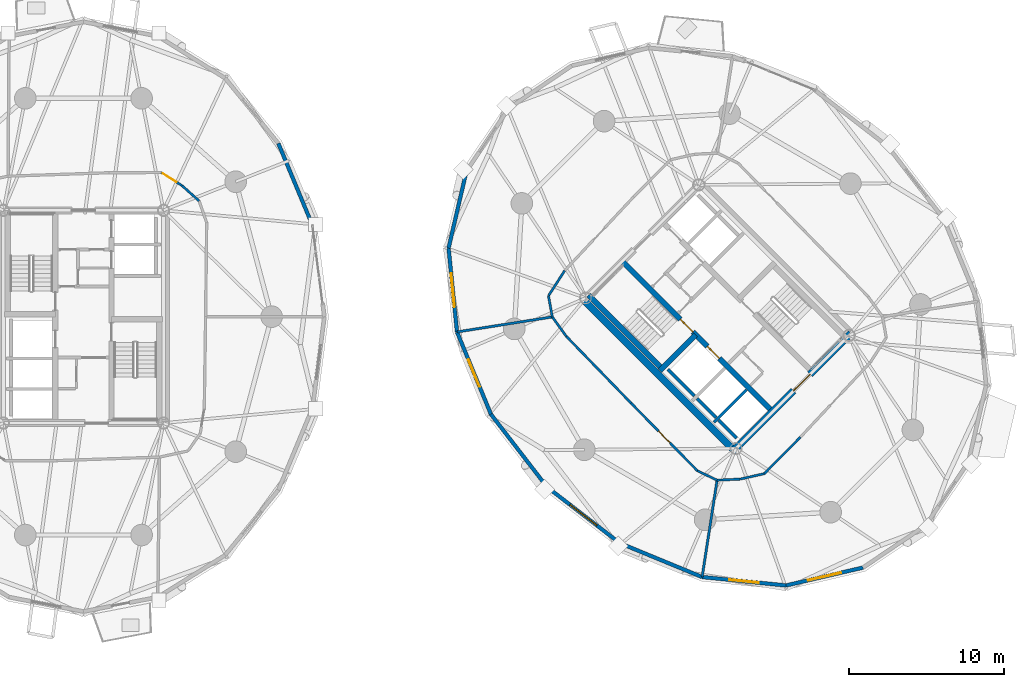
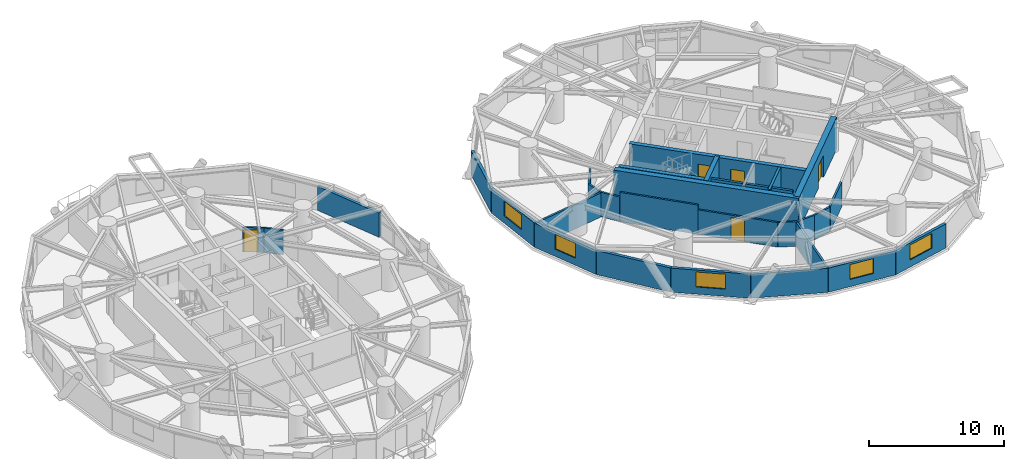
# One storey, part 12 of 18: 31 walls, 5 doors, 5 windows, 10 openings.
"""IFC4 building model written with IfcOpenShell, lengths in metres."""

from ifc_helpers import new_model, si_unit, direction, frame, frame_2d, origin, place, context, subcontext, project, spatial, rectangle, extrude, source, transform, mapped, material, layer, layer_set, type_object, element, fill, save


model = new_model("IFC4")

# Units and contexts
model_context = context("Model", 3, precision=1e-05, world=origin(), true_north=direction((0.0, 1.0)))
body_context = subcontext(model_context, "Body", "Model", "MODEL_VIEW")
ifc_project = project(units=[si_unit("LENGTHUNIT", "METRE"), si_unit("AREAUNIT", "SQUARE_METRE"), si_unit("VOLUMEUNIT", "CUBIC_METRE"), si_unit("PLANEANGLEUNIT", "RADIAN"), si_unit("MASSUNIT", "GRAM", prefix="KILO")], contexts=[model_context])

# Site, building, storey
site_placement = place(None, origin())
site = spatial("IfcSite", under=ifc_project, at=site_placement, CompositionType="ELEMENT")
building_placement = place(site_placement, origin())
building = spatial("IfcBuilding", under=site, at=building_placement, Name="Cununo Teusaquillo Station Towers", CompositionType="ELEMENT")
storey_placement = place(building_placement, frame((0.0, 0.0, 75.969970703125)))
storey = spatial("IfcBuildingStorey", under=building, at=storey_placement, Name="L23", CompositionType="ELEMENT", Elevation=75.969970703125)

# Walls
ifc_material_1 = material(Name="Concrete C50/60", Category="concrete")
ifc_layer_1 = layer(ifc_material_1, 0.199951171875)
ifc_layer_set_1 = layer_set([ifc_layer_1], Name="Concrete C50/60")
wall_type_1 = type_object("IfcWallType", Name="WL-CORE-200", PredefinedType="SHEAR", material=ifc_layer_set_1)
wall_1_placement = place(storey_placement, frame((56.01513671875, 19.366455078125, 0.0), z_axis=(0.0, 0.0, 1.0), x_axis=(-0.707106781187, 0.707106781187, 0.0)))
element("IfcWall", 1, at=wall_1_placement, inside=storey, type_object=wall_type_1, Name="L23 Tower B Firefighting Lift Shaft Rear Shear Wall", PredefinedType="SHEAR", context=body_context, shape_type="SweptSolid", body=[
    extrude(rectangle(XDim=2.43994140625, YDim=0.199951171875, at=frame_2d((1.219970703125, 0.0))), origin(), (0.0, 0.0, 1.0), 2.909912109375),
])
wall_2_placement = place(storey_placement, frame((57.2841796875, 17.6728515625, 0.0), z_axis=(0.0, 0.0, 1.0), x_axis=(0.707147878904, 0.70706568108, 0.0)))
element("IfcWall", 2, at=wall_2_placement, inside=storey, type_object=wall_type_1, Name="L23 Tower B High-Rise Lift Hoistway Divider Shear Wall", PredefinedType="SHEAR", context=body_context, shape_type="SweptSolid", body=[
    extrude(rectangle(XDim=2.97021484375, YDim=0.199951171875, at=frame_2d((1.485107421875, 0.0))), origin(), (0.0, 0.0, 1.0), 2.909912109375),
])
wall_3_placement = place(storey_placement, frame((57.41162109375, 17.969970703125, 0.0), z_axis=(0.0, 0.0, 1.0), x_axis=(-0.707106781187, 0.707106781187, 0.0)))
element("IfcWall", 3, at=wall_3_placement, inside=storey, type_object=wall_type_1, Name="L23 Tower B High-Rise Lift 2 Shaft Rear Shear Wall", PredefinedType="SHEAR", context=body_context, shape_type="SweptSolid", body=[
    extrude(rectangle(XDim=1.73486328125, YDim=0.199951171875, at=frame_2d((0.867431640625, 0.0))), origin(), (0.0, 0.0, 1.0), 2.909912109375),
])
wall_4_placement = place(storey_placement, frame((58.7373046875, 16.64404296875, 0.0), z_axis=(0.0, 0.0, 1.0), x_axis=(-0.707032117043, 0.707181437447, 0.0)))
element("IfcWall", 4, at=wall_4_placement, inside=storey, type_object=wall_type_1, Name="L23 Tower B High-Rise Lift 1 Shaft Rear Shear Wall", PredefinedType="SHEAR", context=body_context, shape_type="SweptSolid", body=[
    extrude(rectangle(XDim=1.635009765625, YDim=0.199951171875, at=frame_2d((0.8173828125, 0.0))), origin(), (0.0, 0.0, 1.0), 2.909912109375),
])

# Wall, openings, doors
ifc_material_2 = material(Name="Concrete C50/60", Category="concrete")
ifc_layer_2 = layer(ifc_material_2, 0.35009765625)
ifc_layer_set_2 = layer_set([ifc_layer_2], Name="Concrete C50/60")
wall_type_2 = type_object("IfcWallType", Name="WL-CORE-350", PredefinedType="SHEAR", material=ifc_layer_set_2)
wall_5_placement = place(storey_placement, frame((61.077880859375, 18.355224609375, 0.0), z_axis=(0.0, 0.0, 1.0), x_axis=(-0.707106781187, 0.707106781187, 0.0)))
wall_5 = element("IfcWall", 5, at=wall_5_placement, inside=storey, type_object=wall_type_2, Name="L23 Tower B Core Shear Wall IW", PredefinedType="SHEAR", context=body_context, shape_type="SweptSolid", body=[
    extrude(rectangle(XDim=13.75, YDim=0.35009765625, at=frame_2d((6.875, 0.0))), origin(), (0.0, 0.0, 1.0), 2.909912109375),
])
shared_shape_1 = source(origin(), body_context, "Body", "SweptSolid", [
    extrude(rectangle(XDim=1.10009765625, YDim=2.014892578125, at=frame_2d((0.550048828125, 1.00732421875))), frame((0.0, 0.18505859375, 0.0), z_axis=(0.0, -1.0, 0.0), x_axis=(1.0, 0.0, 0.0)), (0.0, 0.0, 1.0), 0.3701171875),
])
opening_1_placement = place(wall_5_placement, frame((4.875, 0.0, 0.0)))
opening_1 = element("IfcOpeningElement", 6, at=opening_1_placement, cuts=wall_5, Name="Opening LD-01", PredefinedType="OPENING", context=body_context, shape_type="MappedRepresentation", body=[
    mapped(shared_shape_1, transform((0.0, 0.0, 0.0), x_axis=(1.0, 0.0, 0.0), y_axis=(0.0, 1.0, 0.0), z_axis=(0.0, 0.0, 1.0), scale=1.0)),
])
shared_shape_2 = source(origin(), body_context, "Body", "SweptSolid", [
    extrude(rectangle(XDim=1.14990234375, YDim=2.02001953125, at=frame_2d((0.574951171875, 1.010009765625))), frame((0.0, 0.18505859375, 0.0), z_axis=(0.0, -1.0, 0.0), x_axis=(1.0, 0.0, 0.0)), (0.0, 0.0, 1.0), 0.3701171875),
])
opening_2_placement = place(wall_5_placement, frame((7.294921875, 0.0, 0.0)))
opening_2 = element("IfcOpeningElement", 7, at=opening_2_placement, cuts=wall_5, Name="Opening D-ST1", PredefinedType="OPENING", context=body_context, shape_type="MappedRepresentation", body=[
    mapped(shared_shape_2, transform((0.0, 0.0, 0.0), x_axis=(1.0, 0.0, 0.0), y_axis=(0.0, 1.0, 0.0), z_axis=(0.0, 0.0, 1.0), scale=1.0)),
])
ifc_material_3 = material(Name="Galvanised fire-rated hollow steel door assembly", Category="steel")
door_type_1 = type_object("IfcDoorType", Name="DR-LIFT-1100", OperationType="SLIDING_TO_LEFT", PredefinedType="DOOR", material=ifc_material_3)
shared_shape_3 = source(origin(), body_context, "Body", "SweptSolid", [
    extrude(rectangle(XDim=1.10009765625, YDim=2.014892578125, at=frame_2d((0.550048828125, 1.00732421875))), frame((0.0, 0.02490234375, 0.0), z_axis=(0.0, -1.0, 0.0), x_axis=(1.0, 0.0, 0.0)), (0.0, 0.0, 1.0), 0.050048828125),
])
door_1_placement = place(opening_1_placement, origin())
door_1 = element("IfcDoor", 8, at=door_1_placement, inside=storey, type_object=door_type_1, Name="L23 Lift FL-T2 Sliding Landing Door", OperationType="SLIDING_TO_LEFT", OverallHeight=2.014892578125, OverallWidth=1.10009765625, PredefinedType="DOOR", context=body_context, shape_type="MappedRepresentation", body=[
    mapped(shared_shape_3, transform((0.0, 0.0, 0.0), x_axis=(1.0, 0.0, 0.0), y_axis=(0.0, 1.0, 0.0), z_axis=(0.0, 0.0, 1.0), scale=1.0)),
])
fill(opening_1, door_1)
ifc_material_4 = material(Name="Galvanised fire-rated hollow steel door assembly", Category="steel")
door_type_2 = type_object("IfcDoorType", Name="DR-STAIR-1150", OperationType="NOTDEFINED", PredefinedType="DOOR", material=ifc_material_4)
shared_shape_4 = source(origin(), body_context, "Body", "SweptSolid", [
    extrude(rectangle(XDim=1.14990234375, YDim=2.02001953125, at=frame_2d((0.574951171875, 1.010009765625))), frame((0.0, 0.02490234375, 0.0), z_axis=(0.0, -1.0, 0.0), x_axis=(1.0, 0.0, 0.0)), (0.0, 0.0, 1.0), 0.050048828125),
])
door_2_placement = place(opening_2_placement, origin())
door_2 = element("IfcDoor", 9, at=door_2_placement, inside=storey, type_object=door_type_2, Name="L23 Tower B Exit Stair 1 Fire Door", OperationType="SINGLE_SWING_RIGHT", OverallHeight=2.02001953125, OverallWidth=1.14990234375, PredefinedType="DOOR", context=body_context, shape_type="MappedRepresentation", body=[
    mapped(shared_shape_4, transform((0.0, 0.0, 0.0), x_axis=(1.0, 0.0, 0.0), y_axis=(0.0, 1.0, 0.0), z_axis=(0.0, 0.0, 1.0), scale=1.0)),
])
fill(opening_2, door_2)

# Walls
wall_6_placement = place(storey_placement, frame((53.922119140625, 21.14111328125, 0.0), z_axis=(0.0, 0.0, 1.0), x_axis=(-0.707088616009, 0.707124945897, 0.0)))
element("IfcWall", 10, at=wall_6_placement, inside=storey, type_object=wall_type_2, Name="L23 Tower B Core Shear Wall ST1W", PredefinedType="SHEAR", context=body_context, shape_type="SweptSolid", body=[
    extrude(rectangle(XDim=6.72021484375, YDim=0.35009765625, at=frame_2d((3.360107421875, 0.0))), origin(), (0.0, 0.0, 1.0), 2.909912109375),
])
wall_7_placement = place(storey_placement, frame((53.7841796875, 21.00341796875, 0.0), z_axis=(0.0, 0.0, 1.0), x_axis=(0.707106781187, 0.707106781187, 0.0)))
element("IfcWall", 11, at=wall_7_placement, inside=storey, type_object=wall_type_2, Name="L23 Tower B Core Shear Wall ST1S", PredefinedType="SHEAR", context=body_context, shape_type="SweptSolid", body=[
    extrude(rectangle(XDim=3.284912109375, YDim=0.35009765625, at=frame_2d((1.642578125, 0.0))), origin(), (0.0, 0.0, 1.0), 2.909912109375),
])
ifc_material_5 = material(Name="Concrete C60/75", Category="concrete")
ifc_layer_3 = layer(ifc_material_5, 0.449951171875)
ifc_layer_set_3 = layer_set([ifc_layer_3], Name="Concrete C60/75")
wall_type_3 = type_object("IfcWallType", Name="WL-CORE-450", PredefinedType="SHEAR", material=ifc_layer_set_3)
wall_8_placement = place(storey_placement, frame((58.7373046875, 15.696533203125, 0.0), z_axis=(0.0, 0.0, 1.0), x_axis=(-0.707106781187, 0.707106781187, 0.0)))
element("IfcWall", 12, at=wall_8_placement, inside=storey, type_object=wall_type_3, Name="L23 Tower B Core Shear Wall W", PredefinedType="SHEAR", context=body_context, shape_type="SweptSolid", body=[
    extrude(rectangle(XDim=14.19970703125, YDim=0.449951171875, at=frame_2d((7.099853515625, 0.0))), origin(), (0.0, 0.0, 1.0), 2.909912109375),
])

# Wall, opening, door
wall_9_placement = place(storey_placement, frame((58.578369140625, 15.855712890625, 0.0), z_axis=(0.0, 0.0, 1.0), x_axis=(0.707106781187, 0.707106781187, 0.0)))
wall_9 = element("IfcWall", 13, at=wall_9_placement, inside=storey, type_object=wall_type_3, Name="L23 Tower B Core Shear Wall S", PredefinedType="SHEAR", context=body_context, shape_type="SweptSolid", body=[
    extrude(rectangle(XDim=10.69970703125, YDim=0.449951171875, at=frame_2d((5.349853515625, 0.0))), origin(), (0.0, 0.0, 1.0), 2.909912109375),
])
shared_shape_5 = source(origin(), body_context, "Body", "SweptSolid", [
    extrude(rectangle(XDim=1.5, YDim=2.02001953125, at=frame_2d((0.75, 1.010009765625))), frame((0.0, 0.23486328125, 0.0), z_axis=(0.0, -1.0, 0.0), x_axis=(1.0, 0.0, 0.0)), (0.0, 0.0, 1.0), 0.469970703125),
])
opening_3_placement = place(wall_9_placement, frame((5.449951171875, 0.0, 0.0)))
opening_3 = element("IfcOpeningElement", 14, at=opening_3_placement, cuts=wall_9, Name="Opening D-LB1", PredefinedType="OPENING", context=body_context, shape_type="MappedRepresentation", body=[
    mapped(shared_shape_5, transform((0.0, 0.0, 0.0), x_axis=(1.0, 0.0, 0.0), y_axis=(0.0, 1.0, 0.0), z_axis=(0.0, 0.0, 1.0), scale=1.0)),
])
ifc_material_6 = material(Name="Galvanised fire-rated hollow steel door assembly", Category="steel")
door_type_3 = type_object("IfcDoorType", Name="DR-LOBBY-1500", OperationType="DOUBLE_DOOR_SINGLE_SWING", PredefinedType="DOOR", material=ifc_material_6)
shared_shape_6 = source(origin(), body_context, "Body", "SweptSolid", [
    extrude(rectangle(XDim=1.5, YDim=2.02001953125, at=frame_2d((0.75, 1.010009765625))), frame((0.0, 0.02490234375, 0.0), z_axis=(0.0, -1.0, 0.0), x_axis=(1.0, 0.0, 0.0)), (0.0, 0.0, 1.0), 0.050048828125),
])
door_3_placement = place(opening_3_placement, origin())
door_3 = element("IfcDoor", 15, at=door_3_placement, inside=storey, type_object=door_type_3, Name="L23 Tower B South Core Lift Lobby Door", OperationType="DOUBLE_DOOR_SINGLE_SWING", OverallHeight=2.02001953125, OverallWidth=1.5, PredefinedType="DOOR", context=body_context, shape_type="MappedRepresentation", body=[
    mapped(shared_shape_6, transform((0.0, 0.0, 0.0), x_axis=(1.0, 0.0, 0.0), y_axis=(0.0, 1.0, 0.0), z_axis=(0.0, 0.0, 1.0), scale=1.0)),
])
fill(opening_3, door_3)

# Walls
ifc_material_7 = material(Name="Precast concrete C40/50", Category="concrete")
ifc_layer_4 = layer(ifc_material_7, 0.239990234375)
ifc_layer_set_4 = layer_set([ifc_layer_4], Name="Precast concrete C40/50")
wall_type_4 = type_object("IfcWallType", Name="WL-EXT-240", PredefinedType="SOLIDWALL", material=ifc_layer_set_4)
wall_10_placement = place(storey_placement, frame((29.105224609375, 35.708984375, 0.0), z_axis=(0.0, 0.0, 1.0), x_axis=(0.384344417632, -0.923189779317, 0.0)))
element("IfcWall", 16, at=wall_10_placement, inside=storey, type_object=wall_type_4, Name="L23 Tower A Exterior Facade Wall C01", PredefinedType="SOLIDWALL", context=body_context, shape_type="SweptSolid", body=[
    extrude(rectangle(XDim=5.75830078125, YDim=0.239990234375, at=frame_2d((2.879150390625, 0.0))), origin(), (0.0, 0.0, 1.0), 2.178955078125),
])
wall_11_placement = place(storey_placement, frame((40.114990234375, 28.933349609375, 0.0), z_axis=(0.0, 0.0, 1.0), x_axis=(0.225834725257, 0.974165631126, 0.0)))
element("IfcWall", 17, at=wall_11_placement, inside=storey, type_object=wall_type_4, Name="L23 Tower B Exterior Facade Wall C06", PredefinedType="SOLIDWALL", context=body_context, shape_type="SweptSolid", body=[
    extrude(rectangle(XDim=5.118896484375, YDim=0.239990234375, at=frame_2d((2.5595703125, 0.0))), origin(), (0.0, 0.0, 1.0), 2.178955078125),
])

# Wall, opening, window
wall_12_placement = place(storey_placement, frame((40.66064453125, 23.5126953125, 0.0), z_axis=(0.0, 0.0, 1.0), x_axis=(-0.10015591906, 0.994971754311, 0.0)))
wall_12 = element("IfcWall", 18, at=wall_12_placement, inside=storey, type_object=wall_type_4, Name="L23 Tower B Exterior Facade Wall C07", PredefinedType="SOLIDWALL", context=body_context, shape_type="SweptSolid", body=[
    extrude(rectangle(XDim=5.447998046875, YDim=0.239990234375, at=frame_2d((2.72412109375, 0.0))), origin(), (0.0, 0.0, 1.0), 2.178955078125),
])
shared_shape_7 = source(origin(), body_context, "Body", "SweptSolid", [
    extrude(rectangle(XDim=2.199951171875, YDim=1.35009765625, at=frame_2d((1.10009765625, 0.675048828125))), frame((0.0, 0.1298828125, 0.0), z_axis=(0.0, -1.0, 0.0), x_axis=(1.0, 0.0, 0.0)), (0.0, 0.0, 1.0), 0.260009765625),
])
opening_4_placement = place(wall_12_placement, frame((1.6240234375, 0.0, 0.64990234375)))
opening_4 = element("IfcOpeningElement", 19, at=opening_4_placement, cuts=wall_12, Name="Opening WN-01", PredefinedType="OPENING", context=body_context, shape_type="MappedRepresentation", body=[
    mapped(shared_shape_7, transform((0.0, 0.0, 0.0), x_axis=(1.0, 0.0, 0.0), y_axis=(0.0, 1.0, 0.0), z_axis=(0.0, 0.0, 1.0), scale=1.0)),
])
ifc_material_8 = material(Name="Ceramic-fritted dark low-E double glazing", Category="glass")
window_type_1 = type_object("IfcWindowType", Name="WIN-FRIT-2200", PartitioningType="DOUBLE_PANEL_VERTICAL", PredefinedType="WINDOW", material=ifc_material_8)
shared_shape_8 = source(origin(), body_context, "Body", "SweptSolid", [
    extrude(rectangle(XDim=2.199951171875, YDim=1.35009765625, at=frame_2d((1.10009765625, 0.675048828125))), frame((0.0, 0.030029296875, 0.0), z_axis=(0.0, -1.0, 0.0), x_axis=(1.0, 0.0, 0.0)), (0.0, 0.0, 1.0), 0.06005859375),
])
window_1_placement = place(opening_4_placement, origin())
window_1 = element("IfcWindow", 20, at=window_1_placement, inside=storey, type_object=window_type_1, Name="L23 Tower B Facade Window C07", OverallHeight=1.35009765625, OverallWidth=2.199951171875, PartitioningType="DOUBLE_PANEL_VERTICAL", PredefinedType="WINDOW", context=body_context, shape_type="MappedRepresentation", body=[
    mapped(shared_shape_8, transform((0.0, 0.0, 0.0), x_axis=(1.0, 0.0, 0.0), y_axis=(0.0, 1.0, 0.0), z_axis=(0.0, 0.0, 1.0), scale=1.0)),
])
fill(opening_4, window_1)

wall_13_placement = place(storey_placement, frame((42.854736328125, 18.188720703125, 0.0), z_axis=(0.0, 0.0, 1.0), x_axis=(-0.381027003055, 0.924563909604, 0.0)))
wall_13 = element("IfcWall", 21, at=wall_13_placement, inside=storey, type_object=wall_type_4, Name="L23 Tower B Exterior Facade Wall C08", PredefinedType="SOLIDWALL", context=body_context, shape_type="SweptSolid", body=[
    extrude(rectangle(XDim=5.75830078125, YDim=0.239990234375, at=frame_2d((2.879150390625, 0.0))), origin(), (0.0, 0.0, 1.0), 2.178955078125),
])
shared_shape_9 = source(origin(), body_context, "Body", "SweptSolid", [
    extrude(rectangle(XDim=1.89990234375, YDim=1.35009765625, at=frame_2d((0.949951171875, 0.675048828125))), frame((0.0, 0.1298828125, 0.0), z_axis=(0.0, -1.0, 0.0), x_axis=(1.0, 0.0, 0.0)), (0.0, 0.0, 1.0), 0.260009765625),
])
opening_5_placement = place(wall_13_placement, frame((1.928955078125, 0.0, 0.64990234375)))
opening_5 = element("IfcOpeningElement", 22, at=opening_5_placement, cuts=wall_13, Name="Opening WN-02", PredefinedType="OPENING", context=body_context, shape_type="MappedRepresentation", body=[
    mapped(shared_shape_9, transform((0.0, 0.0, 0.0), x_axis=(1.0, 0.0, 0.0), y_axis=(0.0, 1.0, 0.0), z_axis=(0.0, 0.0, 1.0), scale=1.0)),
])
ifc_material_9 = material(Name="Operable acoustic tinted low-E double glazing", Category="glass")
window_type_2 = type_object("IfcWindowType", Name="WIN-OPER-1900", PartitioningType="DOUBLE_PANEL_VERTICAL", PredefinedType="WINDOW", material=ifc_material_9)
shared_shape_10 = source(origin(), body_context, "Body", "SweptSolid", [
    extrude(rectangle(XDim=1.89990234375, YDim=1.35009765625, at=frame_2d((0.949951171875, 0.675048828125))), frame((0.0, 0.030029296875, 0.0), z_axis=(0.0, -1.0, 0.0), x_axis=(1.0, 0.0, 0.0)), (0.0, 0.0, 1.0), 0.06005859375),
])
window_2_placement = place(opening_5_placement, origin())
window_2 = element("IfcWindow", 23, at=window_2_placement, inside=storey, type_object=window_type_2, Name="L23 Tower B Facade Window C08", OverallHeight=1.35009765625, OverallWidth=1.89990234375, PartitioningType="DOUBLE_PANEL_VERTICAL", PredefinedType="WINDOW", context=body_context, shape_type="MappedRepresentation", body=[
    mapped(shared_shape_10, transform((0.0, 0.0, 0.0), x_axis=(1.0, 0.0, 0.0), y_axis=(0.0, 1.0, 0.0), z_axis=(0.0, 0.0, 1.0), scale=1.0)),
])
fill(opening_5, window_2)

# Wall
wall_14_placement = place(storey_placement, frame((46.482666015625, 13.482666015625, 0.0), z_axis=(0.0, 0.0, 1.0), x_axis=(-0.61054437102, 0.791982052206, 0.0)))
element("IfcWall", 24, at=wall_14_placement, inside=storey, type_object=wall_type_4, Name="L23 Tower B Exterior Facade Wall C09", PredefinedType="SOLIDWALL", context=body_context, shape_type="SweptSolid", body=[
    extrude(rectangle(XDim=5.942138671875, YDim=0.239990234375, at=frame_2d((2.97119140625, 0.0))), origin(), (0.0, 0.0, 1.0), 2.178955078125),
])

# Wall, opening, window
wall_15_placement = place(storey_placement, frame((51.188720703125, 9.854736328125, 0.0), z_axis=(0.0, 0.0, 1.0), x_axis=(-0.791982052206, 0.61054437102, 0.0)))
wall_15 = element("IfcWall", 25, at=wall_15_placement, inside=storey, type_object=wall_type_4, Name="L23 Tower B Exterior Facade Wall C10", PredefinedType="SOLIDWALL", context=body_context, shape_type="SweptSolid", body=[
    extrude(rectangle(XDim=5.942138671875, YDim=0.239990234375, at=frame_2d((2.97119140625, 0.0))), origin(), (0.0, 0.0, 1.0), 2.178955078125),
])
opening_6_placement = place(wall_15_placement, frame((1.87109375, 0.0, 0.64990234375)))
opening_6 = element("IfcOpeningElement", 26, at=opening_6_placement, cuts=wall_15, Name="Opening WN-01", PredefinedType="OPENING", context=body_context, shape_type="MappedRepresentation", body=[
    mapped(shared_shape_7, transform((0.0, 0.0, 0.0), x_axis=(1.0, 0.0, 0.0), y_axis=(0.0, 1.0, 0.0), z_axis=(0.0, 0.0, 1.0), scale=1.0)),
])
window_3_placement = place(opening_6_placement, origin())
window_3 = element("IfcWindow", 27, at=window_3_placement, inside=storey, type_object=window_type_1, Name="L23 Tower B Facade Window C10", OverallHeight=1.35009765625, OverallWidth=2.199951171875, PartitioningType="DOUBLE_PANEL_VERTICAL", PredefinedType="WINDOW", context=body_context, shape_type="MappedRepresentation", body=[
    mapped(shared_shape_8, transform((0.0, 0.0, 0.0), x_axis=(1.0, 0.0, 0.0), y_axis=(0.0, 1.0, 0.0), z_axis=(0.0, 0.0, 1.0), scale=1.0)),
])
fill(opening_6, window_3)

# Wall
wall_16_placement = place(storey_placement, frame((56.5126953125, 7.66064453125, 0.0), z_axis=(0.0, 0.0, 1.0), x_axis=(-0.924563909604, 0.381027003055, 0.0)))
element("IfcWall", 28, at=wall_16_placement, inside=storey, type_object=wall_type_4, Name="L23 Tower B Exterior Facade Wall C11", PredefinedType="SOLIDWALL", context=body_context, shape_type="SweptSolid", body=[
    extrude(rectangle(XDim=5.75830078125, YDim=0.239990234375, at=frame_2d((2.879150390625, 0.0))), origin(), (0.0, 0.0, 1.0), 2.178955078125),
])

# Wall, opening, window
wall_17_placement = place(storey_placement, frame((61.933349609375, 7.114990234375, 0.0), z_axis=(0.0, 0.0, 1.0), x_axis=(-0.994971754311, 0.10015591906, 0.0)))
wall_17 = element("IfcWall", 29, at=wall_17_placement, inside=storey, type_object=wall_type_4, Name="L23 Tower B Exterior Facade Wall C12", PredefinedType="SOLIDWALL", context=body_context, shape_type="SweptSolid", body=[
    extrude(rectangle(XDim=5.447998046875, YDim=0.239990234375, at=frame_2d((2.72412109375, 0.0))), origin(), (0.0, 0.0, 1.0), 2.178955078125),
])
opening_7_placement = place(wall_17_placement, frame((1.77392578125, 0.0, 0.64990234375)))
opening_7 = element("IfcOpeningElement", 30, at=opening_7_placement, cuts=wall_17, Name="Opening WN-02", PredefinedType="OPENING", context=body_context, shape_type="MappedRepresentation", body=[
    mapped(shared_shape_9, transform((0.0, 0.0, 0.0), x_axis=(1.0, 0.0, 0.0), y_axis=(0.0, 1.0, 0.0), z_axis=(0.0, 0.0, 1.0), scale=1.0)),
])
window_4_placement = place(opening_7_placement, origin())
window_4 = element("IfcWindow", 31, at=window_4_placement, inside=storey, type_object=window_type_2, Name="L23 Tower B Facade Window C12", OverallHeight=1.35009765625, OverallWidth=1.89990234375, PartitioningType="DOUBLE_PANEL_VERTICAL", PredefinedType="WINDOW", context=body_context, shape_type="MappedRepresentation", body=[
    mapped(shared_shape_10, transform((0.0, 0.0, 0.0), x_axis=(1.0, 0.0, 0.0), y_axis=(0.0, 1.0, 0.0), z_axis=(0.0, 0.0, 1.0), scale=1.0)),
])
fill(opening_7, window_4)

wall_18_placement = place(storey_placement, frame((66.919921875, 8.27099609375, 0.0), z_axis=(0.0, 0.0, 1.0), x_axis=(-0.974165631126, -0.225834725257, 0.0)))
wall_18 = element("IfcWall", 32, at=wall_18_placement, inside=storey, type_object=wall_type_4, Name="L23 Tower B Exterior Facade Wall C13", PredefinedType="SOLIDWALL", context=body_context, shape_type="SweptSolid", body=[
    extrude(rectangle(XDim=5.118896484375, YDim=0.239990234375, at=frame_2d((2.5595703125, 0.0))), origin(), (0.0, 0.0, 1.0), 2.178955078125),
])
opening_8_placement = place(wall_18_placement, frame((1.458984375, 0.0, 0.64990234375)))
opening_8 = element("IfcOpeningElement", 33, at=opening_8_placement, cuts=wall_18, Name="Opening WN-01", PredefinedType="OPENING", context=body_context, shape_type="MappedRepresentation", body=[
    mapped(shared_shape_7, transform((0.0, 0.0, 0.0), x_axis=(1.0, 0.0, 0.0), y_axis=(0.0, 1.0, 0.0), z_axis=(0.0, 0.0, 1.0), scale=1.0)),
])
window_5_placement = place(opening_8_placement, origin())
window_5 = element("IfcWindow", 34, at=window_5_placement, inside=storey, type_object=window_type_1, Name="L23 Tower B Facade Window C13", OverallHeight=1.35009765625, OverallWidth=2.199951171875, PartitioningType="DOUBLE_PANEL_VERTICAL", PredefinedType="WINDOW", context=body_context, shape_type="MappedRepresentation", body=[
    mapped(shared_shape_8, transform((0.0, 0.0, 0.0), x_axis=(1.0, 0.0, 0.0), y_axis=(0.0, 1.0, 0.0), z_axis=(0.0, 0.0, 1.0), scale=1.0)),
])
fill(opening_8, window_5)

# Wall
ifc_material_10 = material(Name="Fire-rated gypsum plasterboard partition assembly", Category="gypsum")
ifc_layer_5 = layer(ifc_material_10, 0.14990234375)
ifc_layer_set_5 = layer_set([ifc_layer_5], Name="Fire-rated gypsum plasterboard partition assembly")
wall_type_5 = type_object("IfcWallType", Name="WL-PART-150", PredefinedType="PARTITIONING", material=ifc_layer_set_5)
wall_19_placement = place(storey_placement, frame((23.979736328125, 31.986572265625, 0.0), z_axis=(0.0, 0.0, 1.0), x_axis=(-0.744317922268, 0.667825449193, 0.0)))
element("IfcWall", 35, at=wall_19_placement, inside=storey, type_object=wall_type_5, Name="L23 Tower A Corridor Ring Wall C02", PredefinedType="PARTITIONING", context=body_context, shape_type="SweptSolid", body=[
    extrude(rectangle(XDim=1.48095703125, YDim=0.14990234375, at=frame_2d((0.740478515625, 0.0))), origin(), (0.0, 0.0, 1.0), 2.22509765625),
])

# Wall, opening, door
wall_20_placement = place(storey_placement, frame((22.87744140625, 32.9755859375, 0.0), z_axis=(0.0, 0.0, 1.0), x_axis=(-0.846723232687, 0.532033614754, 0.0)))
wall_20 = element("IfcWall", 36, at=wall_20_placement, inside=storey, type_object=wall_type_5, Name="L23 Tower A Corridor Ring Wall C03", PredefinedType="PARTITIONING", context=body_context, shape_type="SweptSolid", body=[
    extrude(rectangle(XDim=1.594970703125, YDim=0.14990234375, at=frame_2d((0.79736328125, 0.0))), origin(), (0.0, 0.0, 1.0), 2.22509765625),
])
shared_shape_11 = source(origin(), body_context, "Body", "SweptSolid", [
    extrude(rectangle(XDim=1.050048828125, YDim=2.014892578125, at=frame_2d((0.52490234375, 1.00732421875))), frame((0.0, 0.0849609375, 0.0), z_axis=(0.0, -1.0, 0.0), x_axis=(1.0, 0.0, 0.0)), (0.0, 0.0, 1.0), 0.169921875),
])
opening_9_placement = place(wall_20_placement, frame((0.425048828125, 0.0, 0.0)))
opening_9 = element("IfcOpeningElement", 37, at=opening_9_placement, cuts=wall_20, Name="Opening D-SU1", PredefinedType="OPENING", context=body_context, shape_type="MappedRepresentation", body=[
    mapped(shared_shape_11, transform((0.0, 0.0, 0.0), x_axis=(1.0, 0.0, 0.0), y_axis=(0.0, 1.0, 0.0), z_axis=(0.0, 0.0, 1.0), scale=1.0)),
])
ifc_material_11 = material(Name="Acoustic solid-core hardwood leaf assembly", Category="wood")
door_type_4 = type_object("IfcDoorType", Name="DR-SUITE-1050", OperationType="NOTDEFINED", PredefinedType="DOOR", material=ifc_material_11)
shared_shape_12 = source(origin(), body_context, "Body", "SweptSolid", [
    extrude(rectangle(XDim=1.050048828125, YDim=2.014892578125, at=frame_2d((0.52490234375, 1.00732421875))), frame((0.0, 0.02490234375, 0.0), z_axis=(0.0, -1.0, 0.0), x_axis=(1.0, 0.0, 0.0)), (0.0, 0.0, 1.0), 0.050048828125),
])
door_4_placement = place(opening_9_placement, origin())
door_4 = element("IfcDoor", 38, at=door_4_placement, inside=storey, type_object=door_type_4, Name="L23 Tower A North Open-Plan Corporate Landscape Office Entrance Door", OperationType="SINGLE_SWING_RIGHT", OverallHeight=2.014892578125, OverallWidth=1.050048828125, PredefinedType="DOOR", context=body_context, shape_type="MappedRepresentation", body=[
    mapped(shared_shape_12, transform((0.0, 0.0, 0.0), x_axis=(1.0, 0.0, 0.0), y_axis=(0.0, 1.0, 0.0), z_axis=(0.0, 0.0, 1.0), scale=1.0)),
])
fill(opening_9, door_4)

# Walls
wall_21_placement = place(storey_placement, frame((47.623046875, 27.475341796875, 0.0), z_axis=(0.0, 0.0, 1.0), x_axis=(-0.54158041545, -0.840648947898, 0.0)))
element("IfcWall", 39, at=wall_21_placement, inside=storey, type_object=wall_type_5, Name="L23 Tower B Corridor Ring Wall C06", PredefinedType="PARTITIONING", context=body_context, shape_type="SweptSolid", body=[
    extrude(rectangle(XDim=1.933837890625, YDim=0.14990234375, at=frame_2d((0.966796875, 0.0))), origin(), (0.0, 0.0, 1.0), 2.22509765625),
])
wall_22_placement = place(storey_placement, frame((46.57568359375, 25.849609375, 0.0), z_axis=(0.0, 0.0, 1.0), x_axis=(0.178962865041, -0.983855829345, 0.0)))
element("IfcWall", 40, at=wall_22_placement, inside=storey, type_object=wall_type_5, Name="L23 Tower B Corridor Ring Wall C07", PredefinedType="PARTITIONING", context=body_context, shape_type="SweptSolid", body=[
    extrude(rectangle(XDim=1.387451171875, YDim=0.14990234375, at=frame_2d((0.69384765625, 0.0))), origin(), (0.0, 0.0, 1.0), 2.22509765625),
])
wall_23_placement = place(storey_placement, frame((46.823974609375, 24.484619140625, 0.0), z_axis=(0.0, 0.0, 1.0), x_axis=(0.584890953925, -0.811111935565, 0.0)))
element("IfcWall", 41, at=wall_23_placement, inside=storey, type_object=wall_type_5, Name="L23 Tower B Corridor Ring Wall C08", PredefinedType="PARTITIONING", context=body_context, shape_type="SweptSolid", body=[
    extrude(rectangle(XDim=1.546630859375, YDim=0.14990234375, at=frame_2d((0.7734375, 0.0))), origin(), (0.0, 0.0, 1.0), 2.22509765625),
])
wall_24_placement = place(storey_placement, frame((47.728515625, 23.230224609375, 0.0), z_axis=(0.0, 0.0, 1.0), x_axis=(0.696119834292, -0.717925606386, 0.0)))
element("IfcWall", 42, at=wall_24_placement, inside=storey, type_object=wall_type_5, Name="L23 Tower B Corridor Ring Wall C09", PredefinedType="PARTITIONING", context=body_context, shape_type="SweptSolid", body=[
    extrude(rectangle(XDim=6.012451171875, YDim=0.14990234375, at=frame_2d((3.00634765625, 0.0))), origin(), (0.0, 0.0, 1.0), 2.655029296875),
])

# Wall, opening, door
wall_25_placement = place(storey_placement, frame((51.913818359375, 18.913818359375, 0.0), z_axis=(0.0, 0.0, 1.0), x_axis=(0.6999614951, -0.71418058317, 0.0)))
wall_25 = element("IfcWall", 43, at=wall_25_placement, inside=storey, type_object=wall_type_5, Name="L23 Tower B Corridor Ring Wall C10", PredefinedType="PARTITIONING", context=body_context, shape_type="SweptSolid", body=[
    extrude(rectangle(XDim=6.129638671875, YDim=0.14990234375, at=frame_2d((3.06494140625, 0.0))), origin(), (0.0, 0.0, 1.0), 2.22509765625),
])
opening_10_placement = place(wall_25_placement, frame((2.539794921875, 0.0, 0.0)))
opening_10 = element("IfcOpeningElement", 44, at=opening_10_placement, cuts=wall_25, Name="Opening D-SU1", PredefinedType="OPENING", context=body_context, shape_type="MappedRepresentation", body=[
    mapped(shared_shape_11, transform((0.0, 0.0, 0.0), x_axis=(1.0, 0.0, 0.0), y_axis=(0.0, 1.0, 0.0), z_axis=(0.0, 0.0, 1.0), scale=1.0)),
])
door_5_placement = place(opening_10_placement, origin())
door_5 = element("IfcDoor", 45, at=door_5_placement, inside=storey, type_object=door_type_4, Name="L23 Tower B South Client Reception & Boardroom Lounge Entrance Door", OperationType="SINGLE_SWING_RIGHT", OverallHeight=2.014892578125, OverallWidth=1.050048828125, PredefinedType="DOOR", context=body_context, shape_type="MappedRepresentation", body=[
    mapped(shared_shape_12, transform((0.0, 0.0, 0.0), x_axis=(1.0, 0.0, 0.0), y_axis=(0.0, 1.0, 0.0), z_axis=(0.0, 0.0, 1.0), scale=1.0)),
])
fill(opening_10, door_5)

# Walls
wall_26_placement = place(storey_placement, frame((56.204345703125, 14.5361328125, 0.0), z_axis=(0.0, 0.0, 1.0), x_axis=(0.902244982981, -0.431223828986, 0.0)))
element("IfcWall", 46, at=wall_26_placement, inside=storey, type_object=wall_type_5, Name="L23 Tower B Corridor Ring Wall C11", PredefinedType="PARTITIONING", context=body_context, shape_type="SweptSolid", body=[
    extrude(rectangle(XDim=1.4169921875, YDim=0.14990234375, at=frame_2d((0.70849609375, 0.0))), origin(), (0.0, 0.0, 1.0), 2.22509765625),
])
wall_27_placement = place(storey_placement, frame((57.48291015625, 13.925048828125, 0.0), z_axis=(0.0, 0.0, 1.0), x_axis=(0.998884345706, 0.047223552414, 0.0)))
element("IfcWall", 47, at=wall_27_placement, inside=storey, type_object=wall_type_5, Name="L23 Tower B Corridor Ring Wall C12", PredefinedType="PARTITIONING", context=body_context, shape_type="SweptSolid", body=[
    extrude(rectangle(XDim=1.494140625, YDim=0.14990234375, at=frame_2d((0.7470703125, 0.0))), origin(), (0.0, 0.0, 1.0), 2.22509765625),
])
wall_28_placement = place(storey_placement, frame((58.975341796875, 13.99560546875, 0.0), z_axis=(0.0, 0.0, 1.0), x_axis=(0.975700857392, 0.219106907431, 0.0)))
element("IfcWall", 48, at=wall_28_placement, inside=storey, type_object=wall_type_5, Name="L23 Tower B Corridor Ring Wall C13", PredefinedType="PARTITIONING", context=body_context, shape_type="SweptSolid", body=[
    extrude(rectangle(XDim=1.591064453125, YDim=0.14990234375, at=frame_2d((0.79541015625, 0.0))), origin(), (0.0, 0.0, 1.0), 2.22509765625),
])
wall_29_placement = place(storey_placement, frame((60.52783203125, 14.34423828125, 0.0), z_axis=(0.0, 0.0, 1.0), x_axis=(0.704381645997, 0.709821454158, 0.0)))
element("IfcWall", 49, at=wall_29_placement, inside=storey, type_object=wall_type_5, Name="L23 Tower B Corridor Ring Wall C14", PredefinedType="PARTITIONING", context=body_context, shape_type="SweptSolid", body=[
    extrude(rectangle(XDim=3.321044921875, YDim=0.14990234375, at=frame_2d((1.66064453125, 0.0))), origin(), (0.0, 0.0, 1.0), 2.22509765625),
])
ifc_material_12 = material(Name="Fire-rated gypsum plasterboard partition assembly", Category="gypsum")
ifc_layer_6 = layer(ifc_material_12, 0.159912109375)
ifc_layer_set_6 = layer_set([ifc_layer_6], Name="Fire-rated gypsum plasterboard partition assembly")
wall_type_6 = type_object("IfcWallType", Name="WL-PART-160", PredefinedType="PARTITIONING", material=ifc_layer_set_6)
wall_30_placement = place(storey_placement, frame((46.823974609375, 24.484619140625, 0.0), z_axis=(0.0, 0.0, 1.0), x_axis=(-0.987794772558, -0.155760994179, 0.0)))
element("IfcWall", 50, at=wall_30_placement, inside=storey, type_object=wall_type_6, Name="L23 Tower B Radial Suite Partition R02", PredefinedType="PARTITIONING", context=body_context, shape_type="SweptSolid", body=[
    extrude(rectangle(XDim=6.219482421875, YDim=0.159912109375, at=frame_2d((3.10986328125, 0.0))), origin(), (0.0, 0.0, 1.0), 2.178955078125),
])
wall_31_placement = place(storey_placement, frame((57.48291015625, 13.925048828125, 0.0), z_axis=(0.0, 0.0, 1.0), x_axis=(-0.153035505395, -0.988220690984, 0.0)))
element("IfcWall", 51, at=wall_31_placement, inside=storey, type_object=wall_type_6, Name="L23 Tower B Radial Suite Partition R03", PredefinedType="PARTITIONING", context=body_context, shape_type="SweptSolid", body=[
    extrude(rectangle(XDim=6.319091796875, YDim=0.159912109375, at=frame_2d((3.15966796875, 0.0))), origin(), (0.0, 0.0, 1.0), 2.178955078125),
])

save(model, "model.ifc")
